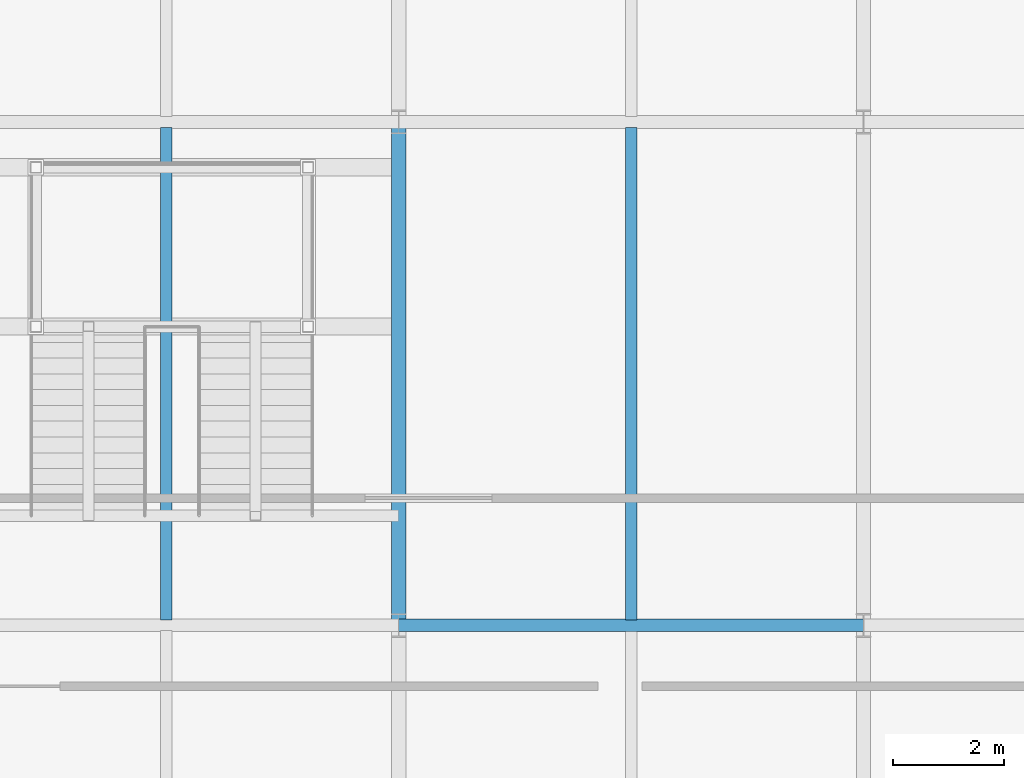
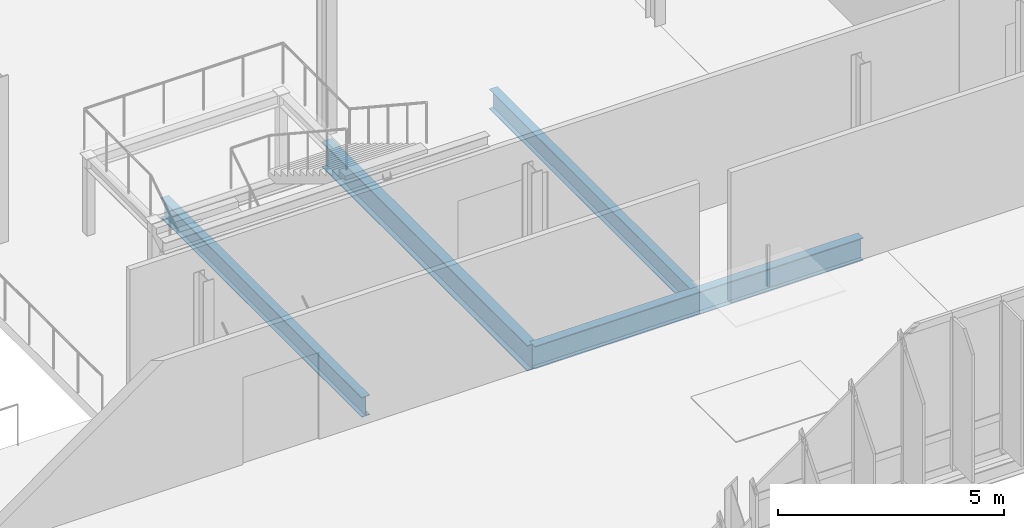
# One storey, part 41 of 139: 4 beams.
"""IFC4 building model written with IfcOpenShell, lengths in metres."""

from ifc_helpers import new_model, si_unit, derived_unit, direction, frame, origin, origin_2d, place, context, subcontext, project, spatial, i_section, extrude, material, material_profile, profile_set, type_object, element, save


model = new_model("IFC4")

# Units and contexts
model_context = context("Model", 3, precision=1e-05, world=origin(), true_north=direction((0.0, 1.0)))
body_context = subcontext(model_context, "Body", "Model", "MODEL_VIEW")
ifc_project = project(units=[si_unit("LENGTHUNIT", "METRE"), si_unit("AREAUNIT", "SQUARE_METRE"), si_unit("VOLUMEUNIT", "CUBIC_METRE"), si_unit("PLANEANGLEUNIT", "RADIAN"), si_unit("MASSUNIT", "GRAM", prefix="KILO"), derived_unit("THERMALTRANSMITTANCEUNIT", [(si_unit("MASSUNIT", "GRAM", prefix="KILO"), 1), (si_unit("TIMEUNIT", "SECOND"), -3), (si_unit("THERMODYNAMICTEMPERATUREUNIT", "KELVIN"), -1)])], contexts=[model_context])

# Site, building, storey
site_placement = place(None, origin())
site = spatial("IfcSite", under=ifc_project, at=site_placement, CompositionType="ELEMENT")
building_placement = place(site_placement, origin())
building = spatial("IfcBuilding", under=site, at=building_placement, Name="Makaiwela Harbour Ferry Terminal", CompositionType="ELEMENT")
storey_placement = place(building_placement, frame((0.0, 0.0, 5.10009765625)))
storey = spatial("IfcBuildingStorey", under=building, at=storey_placement, Name="L01", CompositionType="ELEMENT", Elevation=5.10009765625)

# Beams
ifc_material = material(Name="Steel ASTM A992 Grade 50", Category="steel")
ifc_material_profile_1 = material_profile(ifc_material, i_section(OverallWidth=0.2099609375, OverallDepth=0.537109375, WebThickness=0.010986328125, FlangeThickness=0.017333984375, at=origin_2d()), Name="W21X68")
ifc_profile_set_1 = profile_set([ifc_material_profile_1], Name="Steel ASTM A992 Grade 50")
beam_type_1 = type_object("IfcBeamType", Name="STR-BM-W21X68", PredefinedType="BEAM", material=ifc_profile_set_1)
for number, where, z_axis, x_axis, name in (
    (1, (84.0, 58.596435546875, -0.548583984375), (0.0, 1.0, 0.0), (-1.0, 0.0, 0.0), "Secondary floor beam 1099"),
    (2, (92.39990234375, 58.596435546875, -0.548583984375), (0.0, 1.0, 0.0), (-1.0, 0.0, 0.0), "Secondary floor beam 1107"),
):
    element("IfcBeam", number, at=place(storey_placement, frame(where, z_axis=z_axis, x_axis=x_axis)), inside=storey, type_object=beam_type_1, Name=name, PredefinedType="BEAM", context=body_context, shape_type="SweptSolid", body=[
        extrude(i_section(OverallWidth=0.2099609375, OverallDepth=0.537109375, WebThickness=0.010986328125, FlangeThickness=0.017333984375, at=origin_2d()), origin(), (0.0, 0.0, 1.0), 8.906982421875),
    ])
ifc_material_profile_2 = material_profile(ifc_material, i_section(OverallWidth=0.22900390625, OverallDepth=0.612060546875, WebThickness=0.011962890625, FlangeThickness=0.01953125, at=origin_2d()), Name="W24X84")
ifc_profile_set_2 = profile_set([ifc_material_profile_2], Name="Steel ASTM A992 Grade 50")
beam_type_2 = type_object("IfcBeamType", Name="STR-GRD-W24X84", PredefinedType="USERDEFINED", material=ifc_profile_set_2)
beam_1_placement = place(storey_placement, frame((88.199951171875, 58.5, -0.586181640625), z_axis=(1.0, 0.0, 0.0), x_axis=(0.0, 1.0, 0.0)))
element("IfcBeam", 3, at=beam_1_placement, inside=storey, type_object=beam_type_2, Name="Primary X girder 833", ObjectType="GIRDER", PredefinedType="USERDEFINED", context=body_context, shape_type="SweptSolid", body=[
    extrude(i_section(OverallWidth=0.22900390625, OverallDepth=0.612060546875, WebThickness=0.011962890625, FlangeThickness=0.01953125, at=origin_2d()), origin(), (0.0, 0.0, 1.0), 8.400146484375),
])
ifc_material_profile_3 = material_profile(ifc_material, i_section(OverallWidth=0.256103515625, OverallDepth=0.693115234375, WebThickness=0.014404296875, FlangeThickness=0.023681640625, at=origin_2d()), Name="W27X114")
ifc_profile_set_3 = profile_set([ifc_material_profile_3], Name="Steel ASTM A992 Grade 50")
beam_type_3 = type_object("IfcBeamType", Name="STR-GRD-W27X114", PredefinedType="USERDEFINED", material=ifc_profile_set_3)
beam_2_placement = place(storey_placement, frame((88.199951171875, 58.5, -0.626708984375), z_axis=(0.0, 1.0, 0.0), x_axis=(-1.0, 0.0, 0.0)))
element("IfcBeam", 4, at=beam_2_placement, inside=storey, type_object=beam_type_3, Name="Primary Y girder 961", ObjectType="GIRDER", PredefinedType="USERDEFINED", context=body_context, shape_type="SweptSolid", body=[
    extrude(i_section(OverallWidth=0.256103515625, OverallDepth=0.693115234375, WebThickness=0.014404296875, FlangeThickness=0.023681640625, at=origin_2d()), origin(), (0.0, 0.0, 1.0), 9.10009765625),
])

save(model, "model.ifc")
